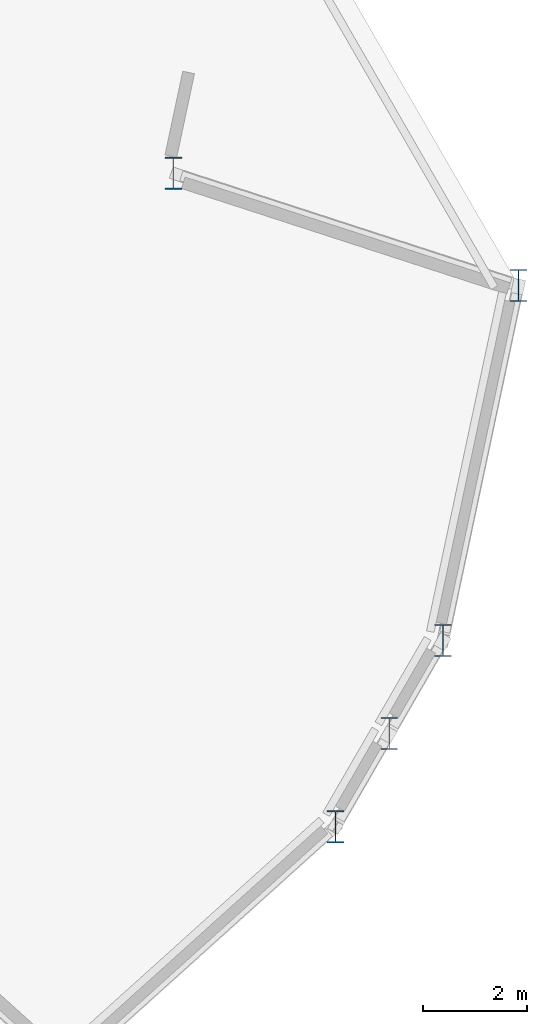
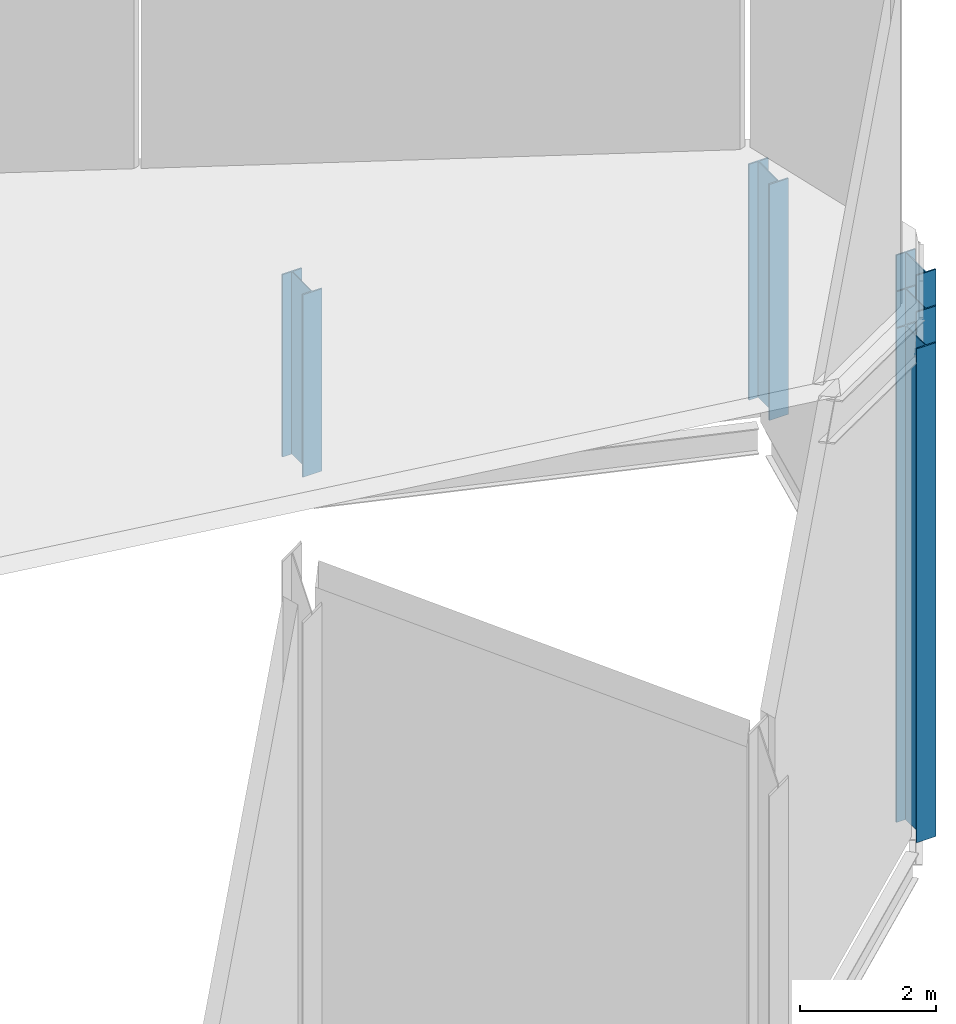
# One storey, part 2 of 5: 5 columns.
"""IFC4 building model written with IfcOpenShell, lengths in metres."""

from ifc_helpers import new_model, si_unit, direction, frame, origin, origin_2d, place, context, subcontext, project, spatial, i_section, extrude, material, material_profile, profile_set, type_object, element, save


model = new_model("IFC4")

# Units and contexts
model_context = context("Model", 3, precision=1e-05, world=origin(), true_north=direction((0.0, 1.0)))
body_context = subcontext(model_context, "Body", "Model", "MODEL_VIEW")
ifc_project = project(units=[si_unit("LENGTHUNIT", "METRE"), si_unit("AREAUNIT", "SQUARE_METRE"), si_unit("VOLUMEUNIT", "CUBIC_METRE"), si_unit("PLANEANGLEUNIT", "RADIAN"), si_unit("MASSUNIT", "GRAM", prefix="KILO")], contexts=[model_context])

# Site, building, storey
site_placement = place(None, origin())
site = spatial("IfcSite", under=ifc_project, at=site_placement, CompositionType="ELEMENT")
building_placement = place(site_placement, origin())
building = spatial("IfcBuilding", under=site, at=building_placement, Name="Cormorant Prow Tower", CompositionType="ELEMENT")
storey_placement = place(building_placement, frame((0.0, 0.0, 447.699951171875)))
storey = spatial("IfcBuildingStorey", under=building, at=storey_placement, Name="L99", CompositionType="ELEMENT", Elevation=447.699951171875)

# Columns
ifc_material = material(Name="Structural steel ASTM A992 Gr 50", Category="steel")
ifc_material_profile = material_profile(ifc_material, i_section(OverallWidth=0.326416015625, OverallDepth=0.621826171875, WebThickness=0.015380859375, FlangeThickness=0.0244140625, at=origin_2d()), Name="W24x131")
ifc_profile_set = profile_set([ifc_material_profile], Name="Structural steel ASTM A992 Gr 50")
column_type = type_object("IfcColumnType", Name="Crown frame column W24x131", PredefinedType="COLUMN", material=ifc_profile_set)
column_1_placement = place(storey_placement, frame((26.0, -17.40576171875, 0.0), z_axis=(0.0, 0.0, 1.0), x_axis=(1.0, 0.0, 0.0)))
element("IfcColumn", 1, at=column_1_placement, inside=storey, type_object=column_type, Name="Crown frame column at ESE00 L99", PredefinedType="COLUMN", context=body_context, shape_type="SweptSolid", body=[
    extrude(i_section(OverallWidth=0.326416015625, OverallDepth=0.621826171875, WebThickness=0.015380859375, FlangeThickness=0.0244140625, at=origin_2d()), origin(), (0.0, 0.0, 1.0), 8.84765625),
])
column_2_placement = place(storey_placement, frame((27.036865234375, -15.60986328125, 0.0), z_axis=(0.0, 0.0, 1.0), x_axis=(1.0, 0.0, 0.0)))
element("IfcColumn", 2, at=column_2_placement, inside=storey, type_object=column_type, Name="Crown frame column at ESE01 L99", PredefinedType="COLUMN", context=body_context, shape_type="SweptSolid", body=[
    extrude(i_section(OverallWidth=0.326416015625, OverallDepth=0.621826171875, WebThickness=0.015380859375, FlangeThickness=0.0244140625, at=origin_2d()), origin(), (0.0, 0.0, 1.0), 8.052734375),
])
column_3_placement = place(storey_placement, frame((28.07373046875, -13.813720703125, 0.0), z_axis=(0.0, 0.0, 1.0), x_axis=(1.0, 0.0, 0.0)))
element("IfcColumn", 3, at=column_3_placement, inside=storey, type_object=column_type, Name="Crown frame column at ENE00 L99", PredefinedType="COLUMN", context=body_context, shape_type="SweptSolid", body=[
    extrude(i_section(OverallWidth=0.326416015625, OverallDepth=0.621826171875, WebThickness=0.015380859375, FlangeThickness=0.0244140625, at=origin_2d()), origin(), (0.0, 0.0, 1.0), 7.257568359375),
])
column_4_placement = place(storey_placement, frame((29.528564453125, -6.969482421875, 0.0), z_axis=(0.0, 0.0, 1.0), x_axis=(1.0, 0.0, 0.0)))
element("IfcColumn", 4, at=column_4_placement, inside=storey, type_object=column_type, Name="Crown frame column at ENE01 L99", PredefinedType="COLUMN", context=body_context, shape_type="SweptSolid", body=[
    extrude(i_section(OverallWidth=0.326416015625, OverallDepth=0.621826171875, WebThickness=0.015380859375, FlangeThickness=0.0244140625, at=origin_2d()), origin(), (0.0, 0.0, 1.0), 4.2275390625),
])
column_5_placement = place(storey_placement, frame((22.873779296875, -4.80712890625, 0.0), z_axis=(0.0, 0.0, 1.0), x_axis=(1.0, 0.0, 0.0)))
element("IfcColumn", 5, at=column_5_placement, inside=storey, type_object=column_type, Name="Crown frame column at ENE02 L99", PredefinedType="COLUMN", context=body_context, shape_type="SweptSolid", body=[
    extrude(i_section(OverallWidth=0.326416015625, OverallDepth=0.621826171875, WebThickness=0.015380859375, FlangeThickness=0.0244140625, at=origin_2d()), origin(), (0.0, 0.0, 1.0), 3.270263671875),
])

save(model, "model.ifc")
